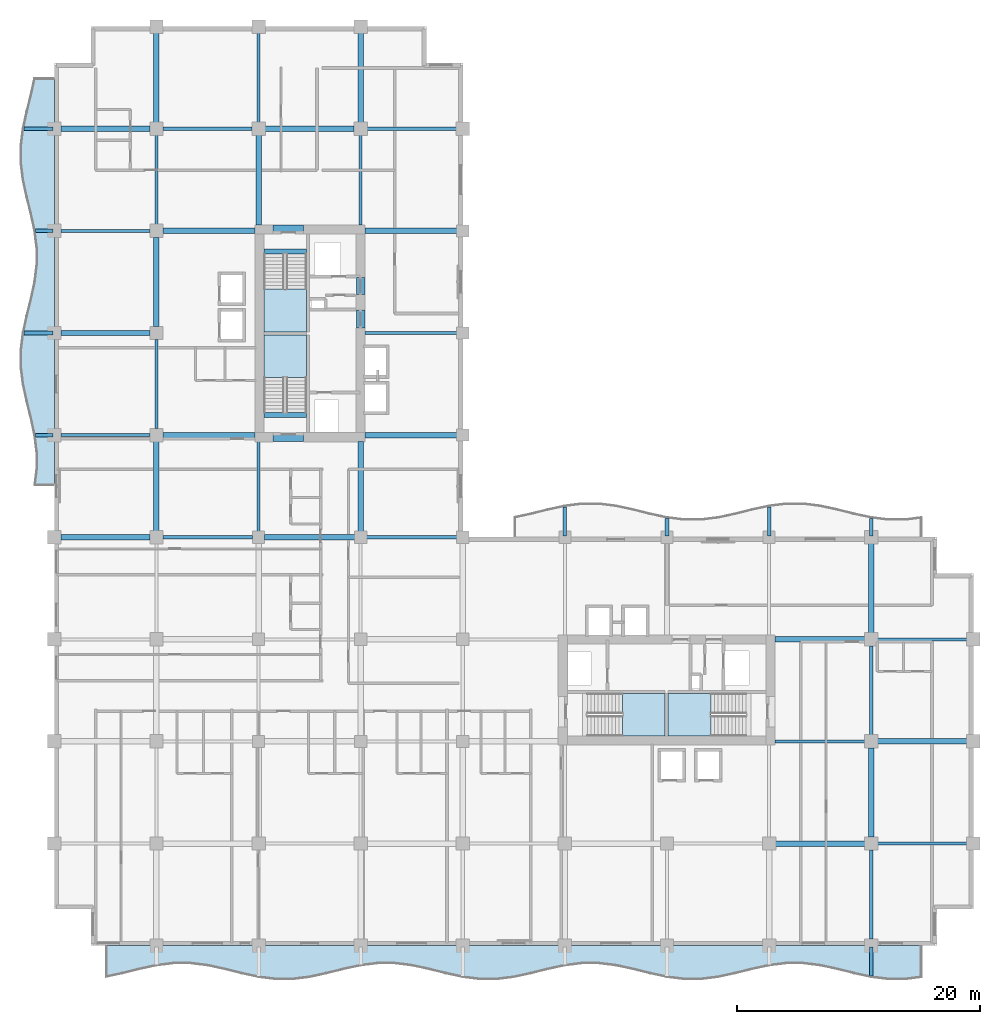
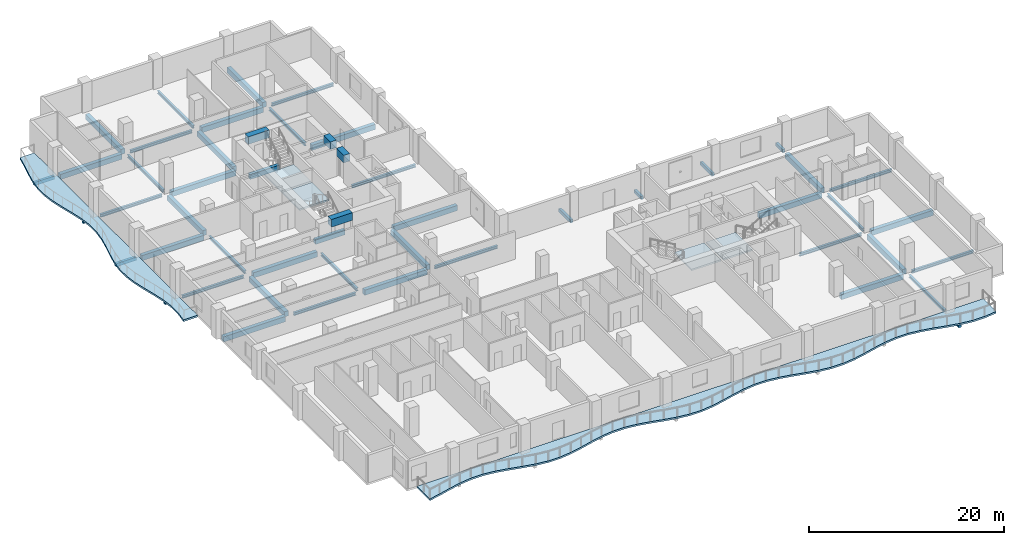
# One storey, part 2 of 16: 52 beams, 6 slabs, 4 elements without a shape of their own.
"""IFC4 building model written with IfcOpenShell, lengths in metres."""

from ifc_helpers import new_model, si_unit, direction, frame, origin, origin_2d, place, context, subcontext, project, spatial, polyline, rectangle, i_section, outline, extrude, material, layer, layer_set, material_profile, profile_set, type_object, element, aggregate, save


model = new_model("IFC4")

# Units and contexts
model_context = context("Model", 3, precision=1e-05, world=origin(), true_north=direction((0.0, 1.0)))
body_context = subcontext(model_context, "Body", "Model", "MODEL_VIEW")
ifc_project = project(units=[si_unit("LENGTHUNIT", "METRE"), si_unit("AREAUNIT", "SQUARE_METRE"), si_unit("VOLUMEUNIT", "CUBIC_METRE"), si_unit("PLANEANGLEUNIT", "RADIAN"), si_unit("MASSUNIT", "GRAM", prefix="KILO")], contexts=[model_context])

# Site, building, storey
site_placement = place(None, origin())
site = spatial("IfcSite", under=ifc_project, at=site_placement, CompositionType="ELEMENT")
building_placement = place(site_placement, origin())
building = spatial("IfcBuilding", under=site, at=building_placement, Name="Koriwani Terraces Tower", CompositionType="ELEMENT")
storey_placement = place(building_placement, frame((0.0, 0.0, 186.5)))
storey = spatial("IfcBuildingStorey", under=building, at=storey_placement, Name="L45", CompositionType="ELEMENT", Elevation=186.5)

# Beams
ifc_material_1 = material(Name="Concrete C40/50", Category="concrete")
ifc_material_profile_1 = material_profile(ifc_material_1, rectangle(XDim=0.300048828125, YDim=0.39990234375, at=origin_2d()), Name="Concrete C40/50", Category="LoadBearing")
ifc_profile_set_1 = profile_set([ifc_material_profile_1], Name="Concrete C40/50")
beam_type_1 = type_object("IfcBeamType", Name="BEAM_RC_BALCONY_RIB_300X400", PredefinedType="JOIST", material=ifc_profile_set_1)
beam_1_placement = place(storey_placement, frame((67.199951171875, -2.502197265625, -0.429931640625), z_axis=(0.0, 1.0, 0.0), x_axis=(-1.0, 0.0, 0.0)))
element("IfcBeam", 1, at=beam_1_placement, inside=storey, type_object=beam_type_1, Name="L45 Balcony Bracket Rib S-8", PredefinedType="JOIST", context=body_context, shape_type="SweptSolid", body=[
    extrude(rectangle(XDim=0.300048828125, YDim=0.39990234375, at=origin_2d()), origin(), (0.0, 0.0, 1.0), 2.402099609375),
])
beam_2_placement = place(storey_placement, frame((-1.547607421875, 42.0, -0.429931640625), z_axis=(1.0, 0.0, 0.0), x_axis=(0.0, 1.0, 0.0)))
element("IfcBeam", 2, at=beam_2_placement, inside=storey, type_object=beam_type_1, Name="L45 Balcony Bracket Rib W-1", PredefinedType="JOIST", context=body_context, shape_type="SweptSolid", body=[
    extrude(rectangle(XDim=0.300048828125, YDim=0.39990234375, at=origin_2d()), origin(), (0.0, 0.0, 1.0), 1.447509765625),
])
beam_3_placement = place(storey_placement, frame((-2.502197265625, 50.39990234375, -0.429931640625), z_axis=(1.0, 0.0, 0.0), x_axis=(0.0, 1.0, 0.0)))
element("IfcBeam", 3, at=beam_3_placement, inside=storey, type_object=beam_type_1, Name="L45 Balcony Bracket Rib W-2", PredefinedType="JOIST", context=body_context, shape_type="SweptSolid", body=[
    extrude(rectangle(XDim=0.300048828125, YDim=0.39990234375, at=origin_2d()), origin(), (0.0, 0.0, 1.0), 2.402099609375),
])
beam_4_placement = place(storey_placement, frame((-1.547607421875, 58.800048828125, -0.429931640625), z_axis=(1.0, 0.0, 0.0), x_axis=(0.0, 1.0, 0.0)))
element("IfcBeam", 4, at=beam_4_placement, inside=storey, type_object=beam_type_1, Name="L45 Balcony Bracket Rib W-3", PredefinedType="JOIST", context=body_context, shape_type="SweptSolid", body=[
    extrude(rectangle(XDim=0.300048828125, YDim=0.39990234375, at=origin_2d()), origin(), (0.0, 0.0, 1.0), 1.447509765625),
])
beam_5_placement = place(storey_placement, frame((-2.502197265625, 67.199951171875, -0.429931640625), z_axis=(1.0, 0.0, 0.0), x_axis=(0.0, 1.0, 0.0)))
element("IfcBeam", 5, at=beam_5_placement, inside=storey, type_object=beam_type_1, Name="L45 Balcony Bracket Rib W-4", PredefinedType="JOIST", context=body_context, shape_type="SweptSolid", body=[
    extrude(rectangle(XDim=0.300048828125, YDim=0.39990234375, at=origin_2d()), origin(), (0.0, 0.0, 1.0), 2.402099609375),
])
beam_6_placement = place(storey_placement, frame((42.0, 33.699951171875, -0.429931640625), z_axis=(0.0, 1.0, 0.0), x_axis=(-1.0, 0.0, 0.0)))
element("IfcBeam", 6, at=beam_6_placement, inside=storey, type_object=beam_type_1, Name="L45 Balcony Bracket Rib NE-1", PredefinedType="JOIST", context=body_context, shape_type="SweptSolid", body=[
    extrude(rectangle(XDim=0.300048828125, YDim=0.39990234375, at=origin_2d()), origin(), (0.0, 0.0, 1.0), 2.40234375),
])
beam_7_placement = place(storey_placement, frame((50.39990234375, 33.699951171875, -0.429931640625), z_axis=(0.0, 1.0, 0.0), x_axis=(-1.0, 0.0, 0.0)))
element("IfcBeam", 7, at=beam_7_placement, inside=storey, type_object=beam_type_1, Name="L45 Balcony Bracket Rib NE-2", PredefinedType="JOIST", context=body_context, shape_type="SweptSolid", body=[
    extrude(rectangle(XDim=0.300048828125, YDim=0.39990234375, at=origin_2d()), origin(), (0.0, 0.0, 1.0), 1.44775390625),
])
beam_8_placement = place(storey_placement, frame((58.800048828125, 33.699951171875, -0.429931640625), z_axis=(0.0, 1.0, 0.0), x_axis=(-1.0, 0.0, 0.0)))
element("IfcBeam", 8, at=beam_8_placement, inside=storey, type_object=beam_type_1, Name="L45 Balcony Bracket Rib NE-3", PredefinedType="JOIST", context=body_context, shape_type="SweptSolid", body=[
    extrude(rectangle(XDim=0.300048828125, YDim=0.39990234375, at=origin_2d()), origin(), (0.0, 0.0, 1.0), 2.40234375),
])
beam_9_placement = place(storey_placement, frame((67.199951171875, 33.699951171875, -0.429931640625), z_axis=(0.0, 1.0, 0.0), x_axis=(-1.0, 0.0, 0.0)))
element("IfcBeam", 9, at=beam_9_placement, inside=storey, type_object=beam_type_1, Name="L45 Balcony Bracket Rib NE-4", PredefinedType="JOIST", context=body_context, shape_type="SweptSolid", body=[
    extrude(rectangle(XDim=0.300048828125, YDim=0.39990234375, at=origin_2d()), origin(), (0.0, 0.0, 1.0), 1.44775390625),
])
ifc_material_2 = material(Name="Concrete C60/75", Category="concrete")
ifc_material_profile_2 = material_profile(ifc_material_2, rectangle(XDim=0.699951171875, YDim=0.949951171875, at=origin_2d()), Name="Concrete C60/75", Category="LoadBearing")
ifc_profile_set_2 = profile_set([ifc_material_profile_2], Name="Concrete C60/75")
beam_type_2 = type_object("IfcBeamType", Name="BEAM_RC_COUPLING_700X950", PredefinedType="LINTEL", material=ifc_profile_set_2)
beam_10_placement = place(storey_placement, frame((25.199951171875, 50.800048828125, 2.9951171875), z_axis=(0.0, 1.0, 0.0), x_axis=(-1.0, 0.0, 0.0)))
element("IfcBeam", 10, at=beam_10_placement, inside=storey, type_object=beam_type_2, Name="L45 Core Coupling Lintel Beam WE1", PredefinedType="LINTEL", context=body_context, shape_type="SweptSolid", body=[
    extrude(rectangle(XDim=0.699951171875, YDim=0.949951171875, at=origin_2d()), origin(), (0.0, 0.0, 1.0), 1.47998046875),
])
beam_11_placement = place(storey_placement, frame((25.199951171875, 53.550048828125, 2.9951171875), z_axis=(0.0, 1.0, 0.0), x_axis=(-1.0, 0.0, 0.0)))
element("IfcBeam", 11, at=beam_11_placement, inside=storey, type_object=beam_type_2, Name="L45 Core Coupling Lintel Beam WE2", PredefinedType="LINTEL", context=body_context, shape_type="SweptSolid", body=[
    extrude(rectangle(XDim=0.699951171875, YDim=0.949951171875, at=origin_2d()), origin(), (0.0, 0.0, 1.0), 1.39990234375),
])
for number, where, z_axis, x_axis, name in (
    (12, (18.0, 41.824951171875, 2.9951171875), (1.0, 0.0, 0.0), (0.0, 1.0, 0.0), "L45 Core Coupling Lintel Beam WS"),
    (13, (18.0, 58.925048828125, 2.9951171875), (1.0, 0.0, 0.0), (0.0, 1.0, 0.0), "L45 Core Coupling Lintel Beam WN"),
):
    element("IfcBeam", number, at=place(storey_placement, frame(where, z_axis=z_axis, x_axis=x_axis)), inside=storey, type_object=beam_type_2, Name=name, PredefinedType="LINTEL", context=body_context, shape_type="SweptSolid", body=[
        extrude(rectangle(XDim=0.699951171875, YDim=0.949951171875, at=origin_2d()), origin(), (0.0, 0.0, 1.0), 2.5),
    ])
ifc_material_profile_3 = material_profile(ifc_material_1, rectangle(XDim=0.39990234375, YDim=0.60009765625, at=origin_2d()), Name="Concrete C40/50", Category="LoadBearing")
ifc_profile_set_3 = profile_set([ifc_material_profile_3], Name="Concrete C40/50")
beam_type_3 = type_object("IfcBeamType", Name="BEAM_RC_GRID_400X600", PredefinedType="BEAM", material=ifc_profile_set_3)
for number, where, z_axis, x_axis, name in (
    (14, (17.25, 43.655029296875, -0.300048828125), (1.0, 0.0, 0.0), (0.0, 1.0, 0.0), "L45 Stairwell Header Trimmer Beam ST-W1"),
    (15, (17.25, 57.094970703125, -0.300048828125), (1.0, 0.0, 0.0), (0.0, 1.0, 0.0), "L45 Stairwell Header Trimmer Beam ST-W2"),
):
    element("IfcBeam", number, at=place(storey_placement, frame(where, z_axis=z_axis, x_axis=x_axis)), inside=storey, type_object=beam_type_3, Name=name, PredefinedType="BEAM", context=body_context, shape_type="SweptSolid", body=[
        extrude(rectangle(XDim=0.39990234375, YDim=0.60009765625, at=origin_2d()), origin(), (0.0, 0.0, 1.0), 3.5),
    ])
ifc_material_3 = material(Name="Concrete C50/60", Category="concrete")
ifc_material_profile_4 = material_profile(ifc_material_3, rectangle(XDim=0.449951171875, YDim=0.64990234375, at=origin_2d()), Name="Concrete C50/60", Category="LoadBearing")
ifc_profile_set_4 = profile_set([ifc_material_profile_4], Name="Concrete C50/60")
beam_type_4 = type_object("IfcBeamType", Name="BEAM_RC_GRID_450X650", PredefinedType="BEAM", material=ifc_profile_set_4)
beam_12_placement = place(storey_placement, frame((59.330078125, 8.39990234375, -0.554931640625), z_axis=(1.0, 0.0, 0.0), x_axis=(0.0, 1.0, 0.0)))
element("IfcBeam", 16, at=beam_12_placement, inside=storey, type_object=beam_type_4, Name="L45 Grid Beam B (58.8-67.2m)", PredefinedType="BEAM", context=body_context, shape_type="SweptSolid", body=[
    extrude(rectangle(XDim=0.449951171875, YDim=0.64990234375, at=origin_2d()), origin(), (0.0, 0.0, 1.0), 7.33984375),
])
beam_13_placement = place(storey_placement, frame((67.72998046875, 16.800048828125, -0.554931640625), z_axis=(1.0, 0.0, 0.0), x_axis=(0.0, 1.0, 0.0)))
element("IfcBeam", 17, at=beam_13_placement, inside=storey, type_object=beam_type_4, Name="L45 Grid Beam C (67.2-75.6m)", PredefinedType="BEAM", context=body_context, shape_type="SweptSolid", body=[
    extrude(rectangle(XDim=0.449951171875, YDim=0.64990234375, at=origin_2d()), origin(), (0.0, 0.0, 1.0), 7.340087890625),
])
beam_14_placement = place(storey_placement, frame((59.280029296875, 25.199951171875, -0.554931640625), z_axis=(1.0, 0.0, 0.0), x_axis=(0.0, 1.0, 0.0)))
element("IfcBeam", 18, at=beam_14_placement, inside=storey, type_object=beam_type_4, Name="L45 Grid Beam D (58.8-67.2m)", PredefinedType="BEAM", context=body_context, shape_type="SweptSolid", body=[
    extrude(rectangle(XDim=0.449951171875, YDim=0.64990234375, at=origin_2d()), origin(), (0.0, 0.0, 1.0), 7.389892578125),
])
beam_15_placement = place(storey_placement, frame((0.530029296875, 33.60009765625, -0.554931640625), z_axis=(1.0, 0.0, 0.0), x_axis=(0.0, 1.0, 0.0)))
element("IfcBeam", 19, at=beam_15_placement, inside=storey, type_object=beam_type_4, Name="L45 Grid Beam E (0.0-8.4m)", PredefinedType="BEAM", context=body_context, shape_type="SweptSolid", body=[
    extrude(rectangle(XDim=0.449951171875, YDim=0.64990234375, at=origin_2d()), origin(), (0.0, 0.0, 1.0), 7.340087890625),
])
beam_16_placement = place(storey_placement, frame((17.280029296875, 33.60009765625, -0.554931640625), z_axis=(1.0, 0.0, 0.0), x_axis=(0.0, 1.0, 0.0)))
element("IfcBeam", 20, at=beam_16_placement, inside=storey, type_object=beam_type_4, Name="L45 Grid Beam E (16.8-25.2m)", PredefinedType="BEAM", context=body_context, shape_type="SweptSolid", body=[
    extrude(rectangle(XDim=0.449951171875, YDim=0.64990234375, at=origin_2d()), origin(), (0.0, 0.0, 1.0), 7.43994140625),
])
beam_17_placement = place(storey_placement, frame((8.929931640625, 42.0, -0.554931640625), z_axis=(1.0, 0.0, 0.0), x_axis=(0.0, 1.0, 0.0)))
element("IfcBeam", 21, at=beam_17_placement, inside=storey, type_object=beam_type_4, Name="L45 Grid Beam F (8.4-16.8m)", PredefinedType="BEAM", context=body_context, shape_type="SweptSolid", body=[
    extrude(rectangle(XDim=0.449951171875, YDim=0.64990234375, at=origin_2d()), origin(), (0.0, 0.0, 1.0), 7.590087890625),
])
beam_18_placement = place(storey_placement, frame((25.554931640625, 42.0, -0.554931640625), z_axis=(1.0, 0.0, 0.0), x_axis=(0.0, 1.0, 0.0)))
element("IfcBeam", 22, at=beam_18_placement, inside=storey, type_object=beam_type_4, Name="L45 Grid Beam F (25.2-33.6m)", PredefinedType="BEAM", context=body_context, shape_type="SweptSolid", body=[
    extrude(rectangle(XDim=0.449951171875, YDim=0.64990234375, at=origin_2d()), origin(), (0.0, 0.0, 1.0), 7.565185546875),
])
beam_19_placement = place(storey_placement, frame((0.530029296875, 50.39990234375, -0.554931640625), z_axis=(1.0, 0.0, 0.0), x_axis=(0.0, 1.0, 0.0)))
element("IfcBeam", 23, at=beam_19_placement, inside=storey, type_object=beam_type_4, Name="L45 Grid Beam G (0.0-8.4m)", PredefinedType="BEAM", context=body_context, shape_type="SweptSolid", body=[
    extrude(rectangle(XDim=0.449951171875, YDim=0.64990234375, at=origin_2d()), origin(), (0.0, 0.0, 1.0), 7.340087890625),
])
beam_20_placement = place(storey_placement, frame((8.929931640625, 58.800048828125, -0.554931640625), z_axis=(1.0, 0.0, 0.0), x_axis=(0.0, 1.0, 0.0)))
element("IfcBeam", 24, at=beam_20_placement, inside=storey, type_object=beam_type_4, Name="L45 Grid Beam H (8.4-16.8m)", PredefinedType="BEAM", context=body_context, shape_type="SweptSolid", body=[
    extrude(rectangle(XDim=0.449951171875, YDim=0.64990234375, at=origin_2d()), origin(), (0.0, 0.0, 1.0), 7.590087890625),
])
beam_21_placement = place(storey_placement, frame((25.554931640625, 58.800048828125, -0.554931640625), z_axis=(1.0, 0.0, 0.0), x_axis=(0.0, 1.0, 0.0)))
element("IfcBeam", 25, at=beam_21_placement, inside=storey, type_object=beam_type_4, Name="L45 Grid Beam H (25.2-33.6m)", PredefinedType="BEAM", context=body_context, shape_type="SweptSolid", body=[
    extrude(rectangle(XDim=0.449951171875, YDim=0.64990234375, at=origin_2d()), origin(), (0.0, 0.0, 1.0), 7.565185546875),
])
beam_22_placement = place(storey_placement, frame((0.530029296875, 67.199951171875, -0.554931640625), z_axis=(1.0, 0.0, 0.0), x_axis=(0.0, 1.0, 0.0)))
element("IfcBeam", 26, at=beam_22_placement, inside=storey, type_object=beam_type_4, Name="L45 Grid Beam I (0.0-8.4m)", PredefinedType="BEAM", context=body_context, shape_type="SweptSolid", body=[
    extrude(rectangle(XDim=0.449951171875, YDim=0.64990234375, at=origin_2d()), origin(), (0.0, 0.0, 1.0), 7.340087890625),
])
beam_23_placement = place(storey_placement, frame((17.330078125, 67.199951171875, -0.554931640625), z_axis=(1.0, 0.0, 0.0), x_axis=(0.0, 1.0, 0.0)))
element("IfcBeam", 27, at=beam_23_placement, inside=storey, type_object=beam_type_4, Name="L45 Grid Beam I (16.8-25.2m)", PredefinedType="BEAM", context=body_context, shape_type="SweptSolid", body=[
    extrude(rectangle(XDim=0.449951171875, YDim=0.64990234375, at=origin_2d()), origin(), (0.0, 0.0, 1.0), 7.33984375),
])
for number, where, z_axis, x_axis, name in (
    (28, (8.39990234375, 34.1298828125, -0.554931640625), (0.0, 1.0, 0.0), (-1.0, 0.0, 0.0), "L45 Grid Beam 2 (33.6-42.0m)"),
    (29, (8.39990234375, 50.929931640625, -0.554931640625), (0.0, 1.0, 0.0), (-1.0, 0.0, 0.0), "L45 Grid Beam 2 (50.4-58.8m)"),
    (30, (8.39990234375, 67.72998046875, -0.554931640625), (0.0, 1.0, 0.0), (-1.0, 0.0, 0.0), "L45 Grid Beam 2 (67.2-75.6m)"),
):
    element("IfcBeam", number, at=place(storey_placement, frame(where, z_axis=z_axis, x_axis=x_axis)), inside=storey, type_object=beam_type_4, Name=name, PredefinedType="BEAM", context=body_context, shape_type="SweptSolid", body=[
        extrude(rectangle(XDim=0.449951171875, YDim=0.64990234375, at=origin_2d()), origin(), (0.0, 0.0, 1.0), 7.340087890625),
    ])
for number, where, z_axis, x_axis, name in (
    (31, (16.800048828125, 59.280029296875, -0.554931640625), (0.0, 1.0, 0.0), (-1.0, 0.0, 0.0), "L45 Grid Beam 3 (58.8-67.2m)"),
    (32, (25.199951171875, 34.080078125, -0.554931640625), (0.0, 1.0, 0.0), (-1.0, 0.0, 0.0), "L45 Grid Beam 4 (33.6-42.0m)"),
):
    element("IfcBeam", number, at=place(storey_placement, frame(where, z_axis=z_axis, x_axis=x_axis)), inside=storey, type_object=beam_type_4, Name=name, PredefinedType="BEAM", context=body_context, shape_type="SweptSolid", body=[
        extrude(rectangle(XDim=0.449951171875, YDim=0.64990234375, at=origin_2d()), origin(), (0.0, 0.0, 1.0), 7.389892578125),
    ])
for number, where, z_axis, x_axis, name in (
    (33, (25.199951171875, 67.72998046875, -0.554931640625), (0.0, 1.0, 0.0), (-1.0, 0.0, 0.0), "L45 Grid Beam 4 (67.2-75.6m)"),
    (34, (67.199951171875, 8.929931640625, -0.554931640625), (0.0, 1.0, 0.0), (-1.0, 0.0, 0.0), "L45 Grid Beam 9 (8.4-16.8m)"),
    (35, (67.199951171875, 25.72998046875, -0.554931640625), (0.0, 1.0, 0.0), (-1.0, 0.0, 0.0), "L45 Grid Beam 9 (25.2-33.6m)"),
):
    element("IfcBeam", number, at=place(storey_placement, frame(where, z_axis=z_axis, x_axis=x_axis)), inside=storey, type_object=beam_type_4, Name=name, PredefinedType="BEAM", context=body_context, shape_type="SweptSolid", body=[
        extrude(rectangle(XDim=0.449951171875, YDim=0.64990234375, at=origin_2d()), origin(), (0.0, 0.0, 1.0), 7.340087890625),
    ])
ifc_material_4 = material(Name="Steel ASTM A572 Grade 50", Category="steel")
ifc_material_profile_5 = material_profile(ifc_material_4, i_section(OverallWidth=0.257080078125, OverallDepth=0.363037109375, WebThickness=0.012939453125, FlangeThickness=0.021728515625, at=origin_2d()), Name="Steel ASTM A572 Grade 50", Category="LoadBearing")
ifc_profile_set_5 = profile_set([ifc_material_profile_5], Name="Steel ASTM A572 Grade 50")
beam_type_5 = type_object("IfcBeamType", Name="STEEL_BEAM_W360X122", PredefinedType="JOIST", material=ifc_profile_set_5)
beam_24_placement = place(storey_placement, frame((67.72998046875, 8.39990234375, -0.41162109375), z_axis=(1.0, 0.0, 0.0), x_axis=(0.0, 1.0, 0.0)))
element("IfcBeam", 36, at=beam_24_placement, inside=storey, type_object=beam_type_5, Name="L45 Grid Beam B (67.2-75.6m)", PredefinedType="JOIST", context=body_context, shape_type="SweptSolid", body=[
    extrude(i_section(OverallWidth=0.257080078125, OverallDepth=0.363037109375, WebThickness=0.012939453125, FlangeThickness=0.021728515625, at=origin_2d()), origin(), (0.0, 0.0, 1.0), 7.340087890625),
])
beam_25_placement = place(storey_placement, frame((59.280029296875, 16.800048828125, -0.41162109375), z_axis=(1.0, 0.0, 0.0), x_axis=(0.0, 1.0, 0.0)))
element("IfcBeam", 37, at=beam_25_placement, inside=storey, type_object=beam_type_5, Name="L45 Grid Beam C (58.8-67.2m)", PredefinedType="JOIST", context=body_context, shape_type="SweptSolid", body=[
    extrude(i_section(OverallWidth=0.257080078125, OverallDepth=0.363037109375, WebThickness=0.012939453125, FlangeThickness=0.021728515625, at=origin_2d()), origin(), (0.0, 0.0, 1.0), 7.389892578125),
])
beam_26_placement = place(storey_placement, frame((67.72998046875, 25.199951171875, -0.41162109375), z_axis=(1.0, 0.0, 0.0), x_axis=(0.0, 1.0, 0.0)))
element("IfcBeam", 38, at=beam_26_placement, inside=storey, type_object=beam_type_5, Name="L45 Grid Beam D (67.2-75.6m)", PredefinedType="JOIST", context=body_context, shape_type="SweptSolid", body=[
    extrude(i_section(OverallWidth=0.257080078125, OverallDepth=0.363037109375, WebThickness=0.012939453125, FlangeThickness=0.021728515625, at=origin_2d()), origin(), (0.0, 0.0, 1.0), 7.340087890625),
])
beam_27_placement = place(storey_placement, frame((8.929931640625, 33.60009765625, -0.41162109375), z_axis=(1.0, 0.0, 0.0), x_axis=(0.0, 1.0, 0.0)))
element("IfcBeam", 39, at=beam_27_placement, inside=storey, type_object=beam_type_5, Name="L45 Grid Beam E (8.4-16.8m)", PredefinedType="JOIST", context=body_context, shape_type="SweptSolid", body=[
    extrude(i_section(OverallWidth=0.257080078125, OverallDepth=0.363037109375, WebThickness=0.012939453125, FlangeThickness=0.021728515625, at=origin_2d()), origin(), (0.0, 0.0, 1.0), 7.39013671875),
])
beam_28_placement = place(storey_placement, frame((25.679931640625, 33.60009765625, -0.41162109375), z_axis=(1.0, 0.0, 0.0), x_axis=(0.0, 1.0, 0.0)))
element("IfcBeam", 40, at=beam_28_placement, inside=storey, type_object=beam_type_5, Name="L45 Grid Beam E (25.2-33.6m)", PredefinedType="JOIST", context=body_context, shape_type="SweptSolid", body=[
    extrude(i_section(OverallWidth=0.257080078125, OverallDepth=0.363037109375, WebThickness=0.012939453125, FlangeThickness=0.021728515625, at=origin_2d()), origin(), (0.0, 0.0, 1.0), 7.440185546875),
])
beam_29_placement = place(storey_placement, frame((0.530029296875, 42.0, -0.41162109375), z_axis=(1.0, 0.0, 0.0), x_axis=(0.0, 1.0, 0.0)))
element("IfcBeam", 41, at=beam_29_placement, inside=storey, type_object=beam_type_5, Name="L45 Grid Beam F (0.0-8.4m)", PredefinedType="JOIST", context=body_context, shape_type="SweptSolid", body=[
    extrude(i_section(OverallWidth=0.257080078125, OverallDepth=0.363037109375, WebThickness=0.012939453125, FlangeThickness=0.021728515625, at=origin_2d()), origin(), (0.0, 0.0, 1.0), 7.340087890625),
])
beam_30_placement = place(storey_placement, frame((25.554931640625, 50.39990234375, -0.41162109375), z_axis=(1.0, 0.0, 0.0), x_axis=(0.0, 1.0, 0.0)))
element("IfcBeam", 42, at=beam_30_placement, inside=storey, type_object=beam_type_5, Name="L45 Grid Beam G (25.2-33.6m)", PredefinedType="JOIST", context=body_context, shape_type="SweptSolid", body=[
    extrude(i_section(OverallWidth=0.257080078125, OverallDepth=0.363037109375, WebThickness=0.012939453125, FlangeThickness=0.021728515625, at=origin_2d()), origin(), (0.0, 0.0, 1.0), 7.565185546875),
])
for number, where, z_axis, x_axis, name in (
    (43, (0.530029296875, 58.800048828125, -0.41162109375), (1.0, 0.0, 0.0), (0.0, 1.0, 0.0), "L45 Grid Beam H (0.0-8.4m)"),
    (44, (8.929931640625, 67.199951171875, -0.41162109375), (1.0, 0.0, 0.0), (0.0, 1.0, 0.0), "L45 Grid Beam I (8.4-16.8m)"),
    (45, (25.72998046875, 67.199951171875, -0.41162109375), (1.0, 0.0, 0.0), (0.0, 1.0, 0.0), "L45 Grid Beam I (25.2-33.6m)"),
    (46, (8.39990234375, 42.530029296875, -0.41162109375), (0.0, 1.0, 0.0), (-1.0, 0.0, 0.0), "L45 Grid Beam 2 (42.0-50.4m)"),
):
    element("IfcBeam", number, at=place(storey_placement, frame(where, z_axis=z_axis, x_axis=x_axis)), inside=storey, type_object=beam_type_5, Name=name, PredefinedType="JOIST", context=body_context, shape_type="SweptSolid", body=[
        extrude(i_section(OverallWidth=0.257080078125, OverallDepth=0.363037109375, WebThickness=0.012939453125, FlangeThickness=0.021728515625, at=origin_2d()), origin(), (0.0, 0.0, 1.0), 7.340087890625),
    ])
beam_31_placement = place(storey_placement, frame((8.39990234375, 59.330078125, -0.41162109375), z_axis=(0.0, 1.0, 0.0), x_axis=(-1.0, 0.0, 0.0)))
element("IfcBeam", 47, at=beam_31_placement, inside=storey, type_object=beam_type_5, Name="L45 Grid Beam 2 (58.8-67.2m)", PredefinedType="JOIST", context=body_context, shape_type="SweptSolid", body=[
    extrude(i_section(OverallWidth=0.257080078125, OverallDepth=0.363037109375, WebThickness=0.012939453125, FlangeThickness=0.021728515625, at=origin_2d()), origin(), (0.0, 0.0, 1.0), 7.33984375),
])
beam_32_placement = place(storey_placement, frame((16.800048828125, 34.080078125, -0.41162109375), z_axis=(0.0, 1.0, 0.0), x_axis=(-1.0, 0.0, 0.0)))
element("IfcBeam", 48, at=beam_32_placement, inside=storey, type_object=beam_type_5, Name="L45 Grid Beam 3 (33.6-42.0m)", PredefinedType="JOIST", context=body_context, shape_type="SweptSolid", body=[
    extrude(i_section(OverallWidth=0.257080078125, OverallDepth=0.363037109375, WebThickness=0.012939453125, FlangeThickness=0.021728515625, at=origin_2d()), origin(), (0.0, 0.0, 1.0), 7.389892578125),
])
beam_33_placement = place(storey_placement, frame((16.800048828125, 67.72998046875, -0.41162109375), z_axis=(0.0, 1.0, 0.0), x_axis=(-1.0, 0.0, 0.0)))
element("IfcBeam", 49, at=beam_33_placement, inside=storey, type_object=beam_type_5, Name="L45 Grid Beam 3 (67.2-75.6m)", PredefinedType="JOIST", context=body_context, shape_type="SweptSolid", body=[
    extrude(i_section(OverallWidth=0.257080078125, OverallDepth=0.363037109375, WebThickness=0.012939453125, FlangeThickness=0.021728515625, at=origin_2d()), origin(), (0.0, 0.0, 1.0), 7.340087890625),
])
beam_34_placement = place(storey_placement, frame((25.199951171875, 59.280029296875, -0.41162109375), z_axis=(0.0, 1.0, 0.0), x_axis=(-1.0, 0.0, 0.0)))
element("IfcBeam", 50, at=beam_34_placement, inside=storey, type_object=beam_type_5, Name="L45 Grid Beam 4 (58.8-67.2m)", PredefinedType="JOIST", context=body_context, shape_type="SweptSolid", body=[
    extrude(i_section(OverallWidth=0.257080078125, OverallDepth=0.363037109375, WebThickness=0.012939453125, FlangeThickness=0.021728515625, at=origin_2d()), origin(), (0.0, 0.0, 1.0), 7.389892578125),
])
beam_35_placement = place(storey_placement, frame((67.199951171875, 0.530029296875, -0.41162109375), z_axis=(0.0, 1.0, 0.0), x_axis=(-1.0, 0.0, 0.0)))
element("IfcBeam", 51, at=beam_35_placement, inside=storey, type_object=beam_type_5, Name="L45 Grid Beam 9 (0.0-8.4m)", PredefinedType="JOIST", context=body_context, shape_type="SweptSolid", body=[
    extrude(i_section(OverallWidth=0.257080078125, OverallDepth=0.363037109375, WebThickness=0.012939453125, FlangeThickness=0.021728515625, at=origin_2d()), origin(), (0.0, 0.0, 1.0), 7.340087890625),
])
beam_36_placement = place(storey_placement, frame((67.199951171875, 17.330078125, -0.41162109375), z_axis=(0.0, 1.0, 0.0), x_axis=(-1.0, 0.0, 0.0)))
element("IfcBeam", 52, at=beam_36_placement, inside=storey, type_object=beam_type_5, Name="L45 Grid Beam 9 (16.8-25.2m)", PredefinedType="JOIST", context=body_context, shape_type="SweptSolid", body=[
    extrude(i_section(OverallWidth=0.257080078125, OverallDepth=0.363037109375, WebThickness=0.012939453125, FlangeThickness=0.021728515625, at=origin_2d()), origin(), (0.0, 0.0, 1.0), 7.33984375),
])

# Slabs
ifc_layer_1 = layer(ifc_material_1, 0.219970703125, Name="Concrete C40/50")
ifc_layer_set_1 = layer_set([ifc_layer_1], Name="Concrete C40/50")
slab_type_1 = type_object("IfcSlabType", Name="SLAB_BALCONY_220", PredefinedType="FLOOR", material=ifc_layer_set_1)
slab_1_placement = place(storey_placement, frame((0.0, 0.0, -0.219970703125)))
element("IfcSlab", 53, at=slab_1_placement, inside=storey, type_object=slab_type_1, Name="L45 Quilted Circular-Arc Balcony (S)", PredefinedType="FLOOR", context=body_context, shape_type="SweptSolid", body=[
    extrude(outline(polyline([(4.199951171875, 0.0), (5.60009765625, 0.0), (7.0, 0.0), (8.39990234375, 0.0), (9.800048828125, 0.0), (11.199951171875, 0.0), (12.60009765625, 0.0), (14.0, 0.0), (15.39990234375, 0.0), (16.800048828125, 0.0), (18.199951171875, 0.0), (19.60009765625, 0.0), (21.0, 0.0), (22.39990234375, 0.0), (23.800048828125, 0.0), (25.199951171875, 0.0), (26.60009765625, 0.0), (28.0, 0.0), (29.39990234375, 0.0), (30.800048828125, 0.0), (32.199951171875, 0.0), (33.60009765625, 0.0), (35.0, 0.0), (36.39990234375, 0.0), (37.800048828125, 0.0), (39.199951171875, 0.0), (40.60009765625, 0.0), (42.0, 0.0), (43.39990234375, 0.0), (44.800048828125, 0.0), (46.199951171875, 0.0), (47.60009765625, 0.0), (49.0, 0.0), (50.39990234375, 0.0), (51.800048828125, 0.0), (53.199951171875, 0.0), (54.60009765625, 0.0), (56.0, 0.0), (57.39990234375, 0.0), (58.800048828125, 0.0), (60.199951171875, 0.0), (61.60009765625, 0.0), (63.0, 0.0), (64.39990234375, 0.0), (65.800048828125, 0.0), (67.199951171875, 0.0), (68.60009765625, 0.0), (70.0, 0.0), (71.39990234375, 0.0), (71.39990234375, -2.65234375), (70.0, -2.826904296875), (68.60009765625, -2.826904296875), (67.199951171875, -2.65234375), (65.800048828125, -2.349609375), (64.39990234375, -2.000244140625), (63.0, -1.69775390625), (61.60009765625, -1.52294921875), (60.199951171875, -1.52294921875), (58.800048828125, -1.69775390625), (57.39990234375, -2.000244140625), (56.0, -2.349609375), (54.60009765625, -2.65234375), (53.199951171875, -2.826904296875), (51.800048828125, -2.826904296875), (50.39990234375, -2.65234375), (49.0, -2.349609375), (47.60009765625, -2.000244140625), (46.199951171875, -1.69775390625), (44.800048828125, -1.52294921875), (43.39990234375, -1.52294921875), (42.0, -1.69775390625), (40.60009765625, -2.000244140625), (39.199951171875, -2.349609375), (37.800048828125, -2.65234375), (36.39990234375, -2.826904296875), (35.0, -2.826904296875), (33.60009765625, -2.65234375), (32.199951171875, -2.349609375), (30.800048828125, -2.000244140625), (29.39990234375, -1.69775390625), (28.0, -1.52294921875), (26.60009765625, -1.52294921875), (25.199951171875, -1.69775390625), (23.800048828125, -2.000244140625), (22.39990234375, -2.349609375), (21.0, -2.65234375), (19.60009765625, -2.826904296875), (18.199951171875, -2.826904296875), (16.800048828125, -2.65234375), (15.39990234375, -2.349609375), (14.0, -2.000244140625), (12.60009765625, -1.69775390625), (11.199951171875, -1.52294921875), (9.800048828125, -1.52294921875), (8.39990234375, -1.69775390625), (7.0, -2.000244140625), (5.60009765625, -2.349609375), (4.199951171875, -2.65234375), (4.199951171875, 0.0)])), origin(), (0.0, 0.0, 1.0), 0.219970703125),
])
slab_2_placement = place(storey_placement, frame((0.0, 0.0, -0.219970703125)))
element("IfcSlab", 54, at=slab_2_placement, inside=storey, type_object=slab_type_1, Name="L45 Quilted Circular-Arc Balcony (W)", PredefinedType="FLOOR", context=body_context, shape_type="SweptSolid", body=[
    extrude(outline(polyline([(0.0, 37.800048828125), (0.0, 39.199951171875), (0.0, 40.60009765625), (0.0, 42.0), (0.0, 43.39990234375), (0.0, 44.800048828125), (0.0, 46.199951171875), (0.0, 47.60009765625), (0.0, 49.0), (0.0, 50.39990234375), (0.0, 51.800048828125), (0.0, 53.199951171875), (0.0, 54.60009765625), (0.0, 56.0), (0.0, 57.39990234375), (0.0, 58.800048828125), (0.0, 60.199951171875), (0.0, 61.60009765625), (0.0, 63.0), (0.0, 64.39990234375), (0.0, 65.800048828125), (0.0, 67.199951171875), (0.0, 68.60009765625), (0.0, 70.0), (0.0, 71.39990234375), (-1.69775390625, 71.39990234375), (-2.000244140625, 70.0), (-2.349609375, 68.60009765625), (-2.65234375, 67.199951171875), (-2.826904296875, 65.800048828125), (-2.826904296875, 64.39990234375), (-2.65234375, 63.0), (-2.349609375, 61.60009765625), (-2.000244140625, 60.199951171875), (-1.69775390625, 58.800048828125), (-1.52294921875, 57.39990234375), (-1.52294921875, 56.0), (-1.69775390625, 54.60009765625), (-2.000244140625, 53.199951171875), (-2.349609375, 51.800048828125), (-2.65234375, 50.39990234375), (-2.826904296875, 49.0), (-2.826904296875, 47.60009765625), (-2.65234375, 46.199951171875), (-2.349609375, 44.800048828125), (-2.000244140625, 43.39990234375), (-1.69775390625, 42.0), (-1.52294921875, 40.60009765625), (-1.52294921875, 39.199951171875), (-1.69775390625, 37.800048828125), (0.0, 37.800048828125)])), origin(), (0.0, 0.0, 1.0), 0.219970703125),
])

# Stair, slab
stair_type = type_object("IfcStairType", Name="STAIR_CORE_DOGLEG_1650", PredefinedType="TWO_STRAIGHT_RUN_STAIR", material=ifc_material_1)
stair_1_placement = place(storey_placement, origin())
stair_1 = element("IfcStair", 55, at=stair_1_placement, inside=storey, type_object=stair_type, Name="L45 West Core Exit Stair 1", PredefinedType="HALF_TURN_STAIR")
ifc_layer_2 = layer(ifc_material_1, 0.199951171875, Name="Concrete C40/50")
ifc_layer_set_2 = layer_set([ifc_layer_2], Name="Concrete C40/50")
slab_type_2 = type_object("IfcSlabType", Name="SLAB_STAIR_LANDING_200", PredefinedType="LANDING", material=ifc_layer_set_2)
slab_3_placement = place(storey_placement, frame((0.0, 0.0, 1.64990234375)))
slab_3 = element("IfcSlab", 56, at=slab_3_placement, type_object=slab_type_2, Name="ST-W1 landing 1", PredefinedType="LANDING", context=body_context, shape_type="SweptSolid", body=[
    extrude(outline(polyline([(20.75, 46.75), (20.75, 50.25), (17.25, 50.25), (17.25, 46.75), (20.75, 46.75)])), origin(), (0.0, 0.0, 1.0), 0.2001953125),
])
aggregate(stair_1, [slab_3])

stair_2_placement = place(storey_placement, origin())
stair_2 = element("IfcStair", 57, at=stair_2_placement, inside=storey, type_object=stair_type, Name="L45 West Core Exit Stair 2", PredefinedType="HALF_TURN_STAIR")
slab_4_placement = place(storey_placement, frame((0.0, 0.0, 1.64990234375)))
slab_4 = element("IfcSlab", 58, at=slab_4_placement, type_object=slab_type_2, Name="ST-W2 landing 1", PredefinedType="LANDING", context=body_context, shape_type="SweptSolid", body=[
    extrude(outline(polyline([(17.25, 54.0), (17.25, 50.5), (20.75, 50.5), (20.75, 54.0), (17.25, 54.0)])), origin(), (0.0, 0.0, 1.0), 0.2001953125),
])
aggregate(stair_2, [slab_4])

stair_3_placement = place(storey_placement, origin())
stair_3 = element("IfcStair", 59, at=stair_3_placement, inside=storey, type_object=stair_type, Name="L45 East Core Exit Stair 1", PredefinedType="HALF_TURN_STAIR")
slab_5_placement = place(storey_placement, frame((0.0, 0.0, 1.64990234375)))
slab_5 = element("IfcSlab", 60, at=slab_5_placement, type_object=slab_type_2, Name="ST-E1 landing 1", PredefinedType="LANDING", context=body_context, shape_type="SweptSolid", body=[
    extrude(outline(polyline([(46.75, 17.25), (50.25, 17.25), (50.25, 20.75), (46.75, 20.75), (46.75, 17.25)])), origin(), (0.0, 0.0, 1.0), 0.2001953125),
])
aggregate(stair_3, [slab_5])

stair_4_placement = place(storey_placement, origin())
stair_4 = element("IfcStair", 61, at=stair_4_placement, inside=storey, type_object=stair_type, Name="L45 East Core Exit Stair 2", PredefinedType="HALF_TURN_STAIR")
slab_6_placement = place(storey_placement, frame((0.0, 0.0, 1.64990234375)))
slab_6 = element("IfcSlab", 62, at=slab_6_placement, type_object=slab_type_2, Name="ST-E2 landing 1", PredefinedType="LANDING", context=body_context, shape_type="SweptSolid", body=[
    extrude(outline(polyline([(54.0, 20.75), (50.5, 20.75), (50.5, 17.25), (54.0, 17.25), (54.0, 20.75)])), origin(), (0.0, 0.0, 1.0), 0.2001953125),
])
aggregate(stair_4, [slab_6])

save(model, "model.ifc")
